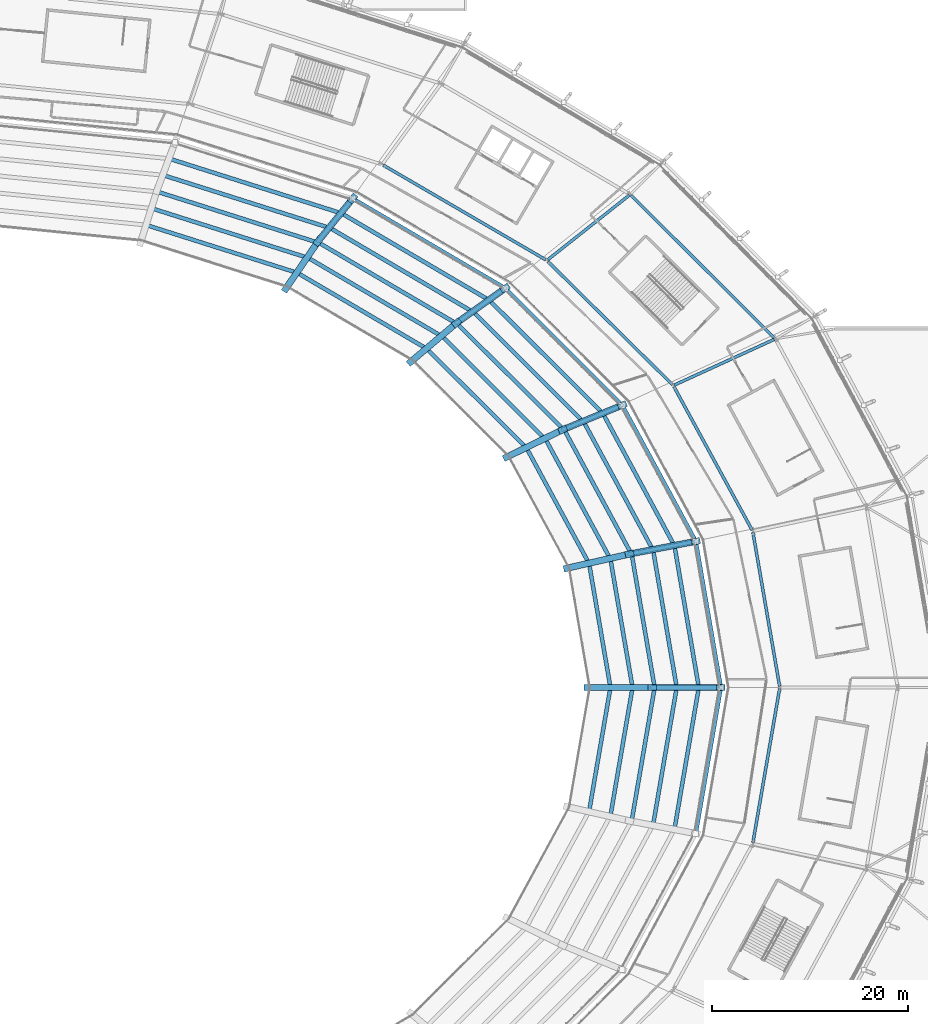
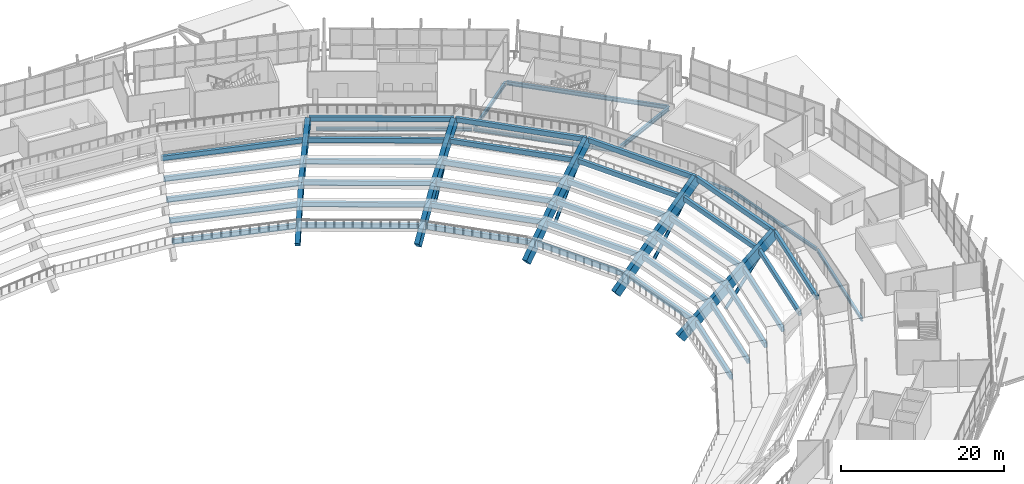
# One storey, part 44 of 126: 53 beams, 5 members.
"""IFC4 building model written with IfcOpenShell, lengths in metres."""

from ifc_helpers import new_model, si_unit, direction, frame, origin, origin_2d, place, context, subcontext, project, spatial, rectangle, hollow_circle, i_section, extrude, material, material_profile, profile_set, type_object, element, save


model = new_model("IFC4")

# Units and contexts
model_context = context("Model", 3, precision=1e-05, world=origin(), true_north=direction((0.0, 1.0)))
body_context = subcontext(model_context, "Body", "Model", "MODEL_VIEW")
ifc_project = project(units=[si_unit("LENGTHUNIT", "METRE"), si_unit("AREAUNIT", "SQUARE_METRE"), si_unit("VOLUMEUNIT", "CUBIC_METRE"), si_unit("PLANEANGLEUNIT", "RADIAN"), si_unit("MASSUNIT", "GRAM", prefix="KILO")], contexts=[model_context])

# Site, building, storey
site_placement = place(None, origin())
site = spatial("IfcSite", under=ifc_project, at=site_placement, CompositionType="ELEMENT")
building_placement = place(site_placement, origin())
building = spatial("IfcBuilding", under=site, at=building_placement, Name="Zlatoyarsky Gate Stadium", CompositionType="ELEMENT")
storey_placement = place(building_placement, frame((0.0, 0.0, 20.800048828125)))
storey = spatial("IfcBuildingStorey", under=building, at=storey_placement, Name="L04", CompositionType="ELEMENT", Elevation=20.800048828125)

# Beams
ifc_material_1 = material(Name="Concrete C40/50", Category="concrete")
ifc_material_profile_1 = material_profile(ifc_material_1, rectangle(XDim=0.39990234375, YDim=0.699951171875, at=origin_2d()), Name="RC BEAM 400X700")
ifc_profile_set_1 = profile_set([ifc_material_profile_1], Name="Concrete C40/50")
beam_type_1 = type_object("IfcBeamType", Name="CONCRETE FLOOR BEAM 400X700", PredefinedType="BEAM", material=ifc_profile_set_1)
beam_1_placement = place(storey_placement, frame((174.73291015625, 80.0986328125, -5.31005859375), z_axis=(-0.169658455132, 0.985502921661, 0.0), x_axis=(-0.985502921661, -0.169658455132, 0.0)))
element("IfcBeam", 1, at=beam_1_placement, inside=storey, type_object=beam_type_1, Name="Upper bowl step tie beam 00.1", PredefinedType="BEAM", context=body_context, shape_type="SweptSolid", body=[
    extrude(rectangle(XDim=0.39990234375, YDim=0.699951171875, at=origin_2d()), origin(), (0.0, 0.0, 1.0), 12.602783203125),
])
beam_2_placement = place(storey_placement, frame((176.98291015625, 80.0986328125, -3.41015625), z_axis=(-0.169561409956, 0.985519623475, 0.0), x_axis=(-0.985519623475, -0.169561409956, 0.0)))
element("IfcBeam", 2, at=beam_2_placement, inside=storey, type_object=beam_type_1, Name="Upper bowl step tie beam 00.2", PredefinedType="BEAM", context=body_context, shape_type="SweptSolid", body=[
    extrude(rectangle(XDim=0.39990234375, YDim=0.699951171875, at=origin_2d()), origin(), (0.0, 0.0, 1.0), 13.062255859375),
])
beam_3_placement = place(storey_placement, frame((179.233154296875, 80.0986328125, -1.510009765625), z_axis=(-0.169485477658, 0.985532684827, 0.0), x_axis=(-0.985532684827, -0.169485477658, 0.0)))
element("IfcBeam", 3, at=beam_3_placement, inside=storey, type_object=beam_type_1, Name="Upper bowl step tie beam 00.3", PredefinedType="BEAM", context=body_context, shape_type="SweptSolid", body=[
    extrude(rectangle(XDim=0.39990234375, YDim=0.699951171875, at=origin_2d()), origin(), (0.0, 0.0, 1.0), 13.521728515625),
])
beam_4_placement = place(storey_placement, frame((181.483154296875, 80.0986328125, 0.389892578125), z_axis=(-0.169400491204, 0.98554729647, 0.0), x_axis=(-0.98554729647, -0.169400491204, 0.0)))
element("IfcBeam", 4, at=beam_4_placement, inside=storey, type_object=beam_type_1, Name="Upper bowl step tie beam 00.4", PredefinedType="BEAM", context=body_context, shape_type="SweptSolid", body=[
    extrude(rectangle(XDim=0.39990234375, YDim=0.699951171875, at=origin_2d()), origin(), (0.0, 0.0, 1.0), 13.981201171875),
])
beam_5_placement = place(storey_placement, frame((183.733154296875, 80.0986328125, 2.2900390625), z_axis=(-0.169320910109, 0.985560971934, 0.0), x_axis=(-0.985560971934, -0.169320910109, 0.0)))
element("IfcBeam", 5, at=beam_5_placement, inside=storey, type_object=beam_type_1, Name="Upper bowl step tie beam 00.5", PredefinedType="BEAM", context=body_context, shape_type="SweptSolid", body=[
    extrude(rectangle(XDim=0.39990234375, YDim=0.699951171875, at=origin_2d()), origin(), (0.0, 0.0, 1.0), 14.4404296875),
])
beam_6_placement = place(storey_placement, frame((185.983154296875, 80.0986328125, 4.18994140625), z_axis=(-0.169262150699, 0.985571065089, 0.0), x_axis=(-0.985571065089, -0.169262150699, 0.0)))
element("IfcBeam", 6, at=beam_6_placement, inside=storey, type_object=beam_type_1, Name="Upper bowl step tie beam 00.6", PredefinedType="BEAM", context=body_context, shape_type="SweptSolid", body=[
    extrude(rectangle(XDim=0.39990234375, YDim=0.699951171875, at=origin_2d()), origin(), (0.0, 0.0, 1.0), 14.89990234375),
])
beam_7_placement = place(storey_placement, frame((172.5302734375, 92.705322265625, -5.31005859375), z_axis=(-0.476295687654, 0.879285174402, 0.0), x_axis=(-0.879285174402, -0.476295687654, 0.0)))
element("IfcBeam", 7, at=beam_7_placement, inside=storey, type_object=beam_type_1, Name="Upper bowl step tie beam 01.1", PredefinedType="BEAM", context=body_context, shape_type="SweptSolid", body=[
    extrude(rectangle(XDim=0.39990234375, YDim=0.699951171875, at=origin_2d()), origin(), (0.0, 0.0, 1.0), 13.171875),
])
beam_8_placement = place(storey_placement, frame((174.70361328125, 93.158203125, -3.41015625), z_axis=(-0.476066487762, 0.879409289938, 0.0), x_axis=(-0.879409289938, -0.476066487762, 0.0)))
element("IfcBeam", 8, at=beam_8_placement, inside=storey, type_object=beam_type_1, Name="Upper bowl step tie beam 01.2", PredefinedType="BEAM", context=body_context, shape_type="SweptSolid", body=[
    extrude(rectangle(XDim=0.39990234375, YDim=0.699951171875, at=origin_2d()), origin(), (0.0, 0.0, 1.0), 13.64990234375),
])
beam_9_placement = place(storey_placement, frame((176.876708984375, 93.611328125, -1.510009765625), z_axis=(-0.475860004983, 0.879521037644, 0.0), x_axis=(-0.879521037644, -0.475860004983, 0.0)))
element("IfcBeam", 9, at=beam_9_placement, inside=storey, type_object=beam_type_1, Name="Upper bowl step tie beam 01.3", PredefinedType="BEAM", context=body_context, shape_type="SweptSolid", body=[
    extrude(rectangle(XDim=0.39990234375, YDim=0.699951171875, at=origin_2d()), origin(), (0.0, 0.0, 1.0), 14.1279296875),
])
beam_10_placement = place(storey_placement, frame((179.05029296875, 94.064208984375, 0.389892578125), z_axis=(-0.475685883609, 0.879615222774, 0.0), x_axis=(-0.879615222774, -0.475685883609, 0.0)))
element("IfcBeam", 10, at=beam_10_placement, inside=storey, type_object=beam_type_1, Name="Upper bowl step tie beam 01.4", PredefinedType="BEAM", context=body_context, shape_type="SweptSolid", body=[
    extrude(rectangle(XDim=0.39990234375, YDim=0.699951171875, at=origin_2d()), origin(), (0.0, 0.0, 1.0), 14.606201171875),
])
beam_11_placement = place(storey_placement, frame((181.223388671875, 94.51708984375, 2.2900390625), z_axis=(-0.475497738566, 0.879716943464, 0.0), x_axis=(-0.879716943464, -0.475497738566, 0.0)))
element("IfcBeam", 11, at=beam_11_placement, inside=storey, type_object=beam_type_1, Name="Upper bowl step tie beam 01.5", PredefinedType="BEAM", context=body_context, shape_type="SweptSolid", body=[
    extrude(rectangle(XDim=0.39990234375, YDim=0.699951171875, at=origin_2d()), origin(), (0.0, 0.0, 1.0), 15.08447265625),
])
beam_12_placement = place(storey_placement, frame((183.39697265625, 94.97021484375, 4.18994140625), z_axis=(-0.475339838788, 0.879802271912, 0.0), x_axis=(-0.879802271912, -0.475339838788, 0.0)))
element("IfcBeam", 12, at=beam_12_placement, inside=storey, type_object=beam_type_1, Name="Upper bowl step tie beam 01.6", PredefinedType="BEAM", context=body_context, shape_type="SweptSolid", body=[
    extrude(rectangle(XDim=0.39990234375, YDim=0.699951171875, at=origin_2d()), origin(), (0.0, 0.0, 1.0), 15.5625),
])
beam_13_placement = place(storey_placement, frame((166.13818359375, 104.445556640625, -5.31005859375), z_axis=(-0.708308892536, 0.705902622714, 0.0), x_axis=(-0.705902622714, -0.708308892536, 0.0)))
element("IfcBeam", 13, at=beam_13_placement, inside=storey, type_object=beam_type_1, Name="Upper bowl step tie beam 02.1", PredefinedType="BEAM", context=body_context, shape_type="SweptSolid", body=[
    extrude(rectangle(XDim=0.39990234375, YDim=0.699951171875, at=origin_2d()), origin(), (0.0, 0.0, 1.0), 14.10302734375),
])
beam_14_placement = place(storey_placement, frame((168.0869140625, 105.320556640625, -3.41015625), z_axis=(-0.708116890443, 0.706095226913, 0.0), x_axis=(-0.706095226913, -0.708116890443, 0.0)))
element("IfcBeam", 14, at=beam_14_placement, inside=storey, type_object=beam_type_1, Name="Upper bowl step tie beam 02.2", PredefinedType="BEAM", context=body_context, shape_type="SweptSolid", body=[
    extrude(rectangle(XDim=0.39990234375, YDim=0.699951171875, at=origin_2d()), origin(), (0.0, 0.0, 1.0), 14.6123046875),
])
beam_15_placement = place(storey_placement, frame((170.035400390625, 106.195556640625, -1.510009765625), z_axis=(-0.707913593092, 0.706299047653, 0.0), x_axis=(-0.706299047653, -0.707913593092, 0.0)))
element("IfcBeam", 15, at=beam_15_placement, inside=storey, type_object=beam_type_1, Name="Upper bowl step tie beam 02.3", PredefinedType="BEAM", context=body_context, shape_type="SweptSolid", body=[
    extrude(rectangle(XDim=0.39990234375, YDim=0.699951171875, at=origin_2d()), origin(), (0.0, 0.0, 1.0), 15.121337890625),
])
beam_16_placement = place(storey_placement, frame((171.98388671875, 107.070556640625, 0.389892578125), z_axis=(-0.707723485707, 0.706489538336, 0.0), x_axis=(-0.706489538336, -0.707723485707, 0.0)))
element("IfcBeam", 16, at=beam_16_placement, inside=storey, type_object=beam_type_1, Name="Upper bowl step tie beam 02.4", PredefinedType="BEAM", context=body_context, shape_type="SweptSolid", body=[
    extrude(rectangle(XDim=0.39990234375, YDim=0.699951171875, at=origin_2d()), origin(), (0.0, 0.0, 1.0), 15.63037109375),
])
beam_17_placement = place(storey_placement, frame((173.9326171875, 107.94580078125, 2.2900390625), z_axis=(-0.707575559386, 0.706637692003, 0.0), x_axis=(-0.706637692003, -0.707575559386, 0.0)))
element("IfcBeam", 17, at=beam_17_placement, inside=storey, type_object=beam_type_1, Name="Upper bowl step tie beam 02.5", PredefinedType="BEAM", context=body_context, shape_type="SweptSolid", body=[
    extrude(rectangle(XDim=0.39990234375, YDim=0.699951171875, at=origin_2d()), origin(), (0.0, 0.0, 1.0), 16.139404296875),
])
beam_18_placement = place(storey_placement, frame((175.881103515625, 108.82080078125, 4.18994140625), z_axis=(-0.707414668274, 0.706798759981, 0.0), x_axis=(-0.706798759981, -0.707414668274, 0.0)))
element("IfcBeam", 18, at=beam_18_placement, inside=storey, type_object=beam_type_1, Name="Upper bowl step tie beam 02.6", PredefinedType="BEAM", context=body_context, shape_type="SweptSolid", body=[
    extrude(rectangle(XDim=0.39990234375, YDim=0.699951171875, at=origin_2d()), origin(), (0.0, 0.0, 1.0), 16.6484375),
])
beam_19_placement = place(storey_placement, frame((155.991943359375, 114.522216796875, -5.31005859375), z_axis=(-0.862487853055, 0.506077764117, 0.0), x_axis=(-0.506077764117, -0.862487853055, 0.0)))
element("IfcBeam", 19, at=beam_19_placement, inside=storey, type_object=beam_type_1, Name="Upper bowl step tie beam 03.1", PredefinedType="BEAM", context=body_context, shape_type="SweptSolid", body=[
    extrude(rectangle(XDim=0.39990234375, YDim=0.699951171875, at=origin_2d()), origin(), (0.0, 0.0, 1.0), 15.1083984375),
])
beam_20_placement = place(storey_placement, frame((157.582763671875, 115.759521484375, -3.41015625), z_axis=(-0.862355376673, 0.506303470581, 0.0), x_axis=(-0.506303470581, -0.862355376673, 0.0)))
element("IfcBeam", 20, at=beam_20_placement, inside=storey, type_object=beam_type_1, Name="Upper bowl step tie beam 03.2", PredefinedType="BEAM", context=body_context, shape_type="SweptSolid", body=[
    extrude(rectangle(XDim=0.39990234375, YDim=0.699951171875, at=origin_2d()), origin(), (0.0, 0.0, 1.0), 15.65087890625),
])
beam_21_placement = place(storey_placement, frame((159.173828125, 116.9970703125, -1.510009765625), z_axis=(-0.862235591154, 0.50650743859, 0.0), x_axis=(-0.50650743859, -0.862235591154, 0.0)))
element("IfcBeam", 21, at=beam_21_placement, inside=storey, type_object=beam_type_1, Name="Upper bowl step tie beam 03.3", PredefinedType="BEAM", context=body_context, shape_type="SweptSolid", body=[
    extrude(rectangle(XDim=0.39990234375, YDim=0.699951171875, at=origin_2d()), origin(), (0.0, 0.0, 1.0), 16.193603515625),
])
beam_22_placement = place(storey_placement, frame((160.764892578125, 118.234619140625, 0.389892578125), z_axis=(-0.862129902882, 0.506687310435, 0.0), x_axis=(-0.506687310435, -0.862129902882, 0.0)))
element("IfcBeam", 22, at=beam_22_placement, inside=storey, type_object=beam_type_1, Name="Upper bowl step tie beam 03.4", PredefinedType="BEAM", context=body_context, shape_type="SweptSolid", body=[
    extrude(rectangle(XDim=0.39990234375, YDim=0.699951171875, at=origin_2d()), origin(), (0.0, 0.0, 1.0), 16.736083984375),
])
beam_23_placement = place(storey_placement, frame((162.355712890625, 119.471923828125, 2.2900390625), z_axis=(-0.862014840694, 0.506883038209, 0.0), x_axis=(-0.506883038209, -0.862014840694, 0.0)))
element("IfcBeam", 23, at=beam_23_placement, inside=storey, type_object=beam_type_1, Name="Upper bowl step tie beam 03.5", PredefinedType="BEAM", context=body_context, shape_type="SweptSolid", body=[
    extrude(rectangle(XDim=0.39990234375, YDim=0.699951171875, at=origin_2d()), origin(), (0.0, 0.0, 1.0), 17.27880859375),
])
beam_24_placement = place(storey_placement, frame((163.94677734375, 120.709228515625, 4.18994140625), z_axis=(-0.861910267073, 0.507060836108, 0.0), x_axis=(-0.507060836108, -0.861910267073, 0.0)))
element("IfcBeam", 24, at=beam_24_placement, inside=storey, type_object=beam_type_1, Name="Upper bowl step tie beam 03.6", PredefinedType="BEAM", context=body_context, shape_type="SweptSolid", body=[
    extrude(rectangle(XDim=0.39990234375, YDim=0.699951171875, at=origin_2d()), origin(), (0.0, 0.0, 1.0), 17.821533203125),
])
beam_25_placement = place(storey_placement, frame((142.77978515625, 122.248779296875, -5.31005859375), z_axis=(-0.953318916024, 0.301965303223, 0.0), x_axis=(-0.301965303223, -0.953318916024, 0.0)))
element("IfcBeam", 25, at=beam_25_placement, inside=storey, type_object=beam_type_1, Name="Upper bowl step tie beam 04.1", PredefinedType="BEAM", context=body_context, shape_type="SweptSolid", body=[
    extrude(rectangle(XDim=0.39990234375, YDim=0.699951171875, at=origin_2d()), origin(), (0.0, 0.0, 1.0), 15.928466796875),
])
beam_26_placement = place(storey_placement, frame((143.90478515625, 123.764404296875, -3.41015625), z_axis=(-0.953267025666, 0.302129074699, 0.0), x_axis=(-0.302129074699, -0.953267025666, 0.0)))
element("IfcBeam", 26, at=beam_26_placement, inside=storey, type_object=beam_type_1, Name="Upper bowl step tie beam 04.2", PredefinedType="BEAM", context=body_context, shape_type="SweptSolid", body=[
    extrude(rectangle(XDim=0.39990234375, YDim=0.699951171875, at=origin_2d()), origin(), (0.0, 0.0, 1.0), 16.498291015625),
])
beam_27_placement = place(storey_placement, frame((145.02978515625, 125.280029296875, -1.510009765625), z_axis=(-0.953219882342, 0.302277779381, 0.0), x_axis=(-0.302277779381, -0.953219882342, 0.0)))
element("IfcBeam", 27, at=beam_27_placement, inside=storey, type_object=beam_type_1, Name="Upper bowl step tie beam 04.3", PredefinedType="BEAM", context=body_context, shape_type="SweptSolid", body=[
    extrude(rectangle(XDim=0.39990234375, YDim=0.699951171875, at=origin_2d()), origin(), (0.0, 0.0, 1.0), 17.068603515625),
])
beam_28_placement = place(storey_placement, frame((146.15478515625, 126.795654296875, 0.389892578125), z_axis=(-0.953175765869, 0.302416863551, 0.0), x_axis=(-0.302416863551, -0.953175765869, 0.0)))
element("IfcBeam", 28, at=beam_28_placement, inside=storey, type_object=beam_type_1, Name="Upper bowl step tie beam 04.4", PredefinedType="BEAM", context=body_context, shape_type="SweptSolid", body=[
    extrude(rectangle(XDim=0.39990234375, YDim=0.699951171875, at=origin_2d()), origin(), (0.0, 0.0, 1.0), 17.638671875),
])
beam_29_placement = place(storey_placement, frame((147.27978515625, 128.311279296875, 2.2900390625), z_axis=(-0.953138260142, 0.302535050949, 0.0), x_axis=(-0.302535050949, -0.953138260142, 0.0)))
element("IfcBeam", 29, at=beam_29_placement, inside=storey, type_object=beam_type_1, Name="Upper bowl step tie beam 04.5", PredefinedType="BEAM", context=body_context, shape_type="SweptSolid", body=[
    extrude(rectangle(XDim=0.39990234375, YDim=0.699951171875, at=origin_2d()), origin(), (0.0, 0.0, 1.0), 18.208740234375),
])
beam_30_placement = place(storey_placement, frame((172.5947265625, 67.481201171875, -5.31005859375), z_axis=(0.169658455132, 0.985502921661, 0.0), x_axis=(-0.985502921661, 0.169658455132, 0.0)))
element("IfcBeam", 30, at=beam_30_placement, inside=storey, type_object=beam_type_1, Name="Upper bowl step tie beam 23.1", PredefinedType="BEAM", context=body_context, shape_type="SweptSolid", body=[
    extrude(rectangle(XDim=0.39990234375, YDim=0.699951171875, at=origin_2d()), origin(), (0.0, 0.0, 1.0), 12.602783203125),
])
beam_31_placement = place(storey_placement, frame((174.76806640625, 67.0283203125, -3.41015625), z_axis=(0.169561409956, 0.985519623475, 0.0), x_axis=(-0.985519623475, 0.169561409956, 0.0)))
element("IfcBeam", 31, at=beam_31_placement, inside=storey, type_object=beam_type_1, Name="Upper bowl step tie beam 23.2", PredefinedType="BEAM", context=body_context, shape_type="SweptSolid", body=[
    extrude(rectangle(XDim=0.39990234375, YDim=0.699951171875, at=origin_2d()), origin(), (0.0, 0.0, 1.0), 13.062255859375),
])
beam_32_placement = place(storey_placement, frame((176.94140625, 66.5751953125, -1.510009765625), z_axis=(0.169485477658, 0.985532684827, 0.0), x_axis=(-0.985532684827, 0.169485477658, 0.0)))
element("IfcBeam", 32, at=beam_32_placement, inside=storey, type_object=beam_type_1, Name="Upper bowl step tie beam 23.3", PredefinedType="BEAM", context=body_context, shape_type="SweptSolid", body=[
    extrude(rectangle(XDim=0.39990234375, YDim=0.699951171875, at=origin_2d()), origin(), (0.0, 0.0, 1.0), 13.521728515625),
])
beam_33_placement = place(storey_placement, frame((179.11474609375, 66.122314453125, 0.389892578125), z_axis=(0.169400491204, 0.98554729647, 0.0), x_axis=(-0.98554729647, 0.169400491204, 0.0)))
element("IfcBeam", 33, at=beam_33_placement, inside=storey, type_object=beam_type_1, Name="Upper bowl step tie beam 23.4", PredefinedType="BEAM", context=body_context, shape_type="SweptSolid", body=[
    extrude(rectangle(XDim=0.39990234375, YDim=0.699951171875, at=origin_2d()), origin(), (0.0, 0.0, 1.0), 13.981201171875),
])
beam_34_placement = place(storey_placement, frame((181.2880859375, 65.66943359375, 2.2900390625), z_axis=(0.169320910109, 0.985560971934, 0.0), x_axis=(-0.985560971934, 0.169320910109, 0.0)))
element("IfcBeam", 34, at=beam_34_placement, inside=storey, type_object=beam_type_1, Name="Upper bowl step tie beam 23.5", PredefinedType="BEAM", context=body_context, shape_type="SweptSolid", body=[
    extrude(rectangle(XDim=0.39990234375, YDim=0.699951171875, at=origin_2d()), origin(), (0.0, 0.0, 1.0), 14.4404296875),
])
beam_35_placement = place(storey_placement, frame((183.461181640625, 65.216552734375, 4.18994140625), z_axis=(0.169262150699, 0.985571065089, 0.0), x_axis=(-0.985571065089, 0.169262150699, 0.0)))
element("IfcBeam", 35, at=beam_35_placement, inside=storey, type_object=beam_type_1, Name="Upper bowl step tie beam 23.6", PredefinedType="BEAM", context=body_context, shape_type="SweptSolid", body=[
    extrude(rectangle(XDim=0.39990234375, YDim=0.699951171875, at=origin_2d()), origin(), (0.0, 0.0, 1.0), 14.89990234375),
])
ifc_material_2 = material(Name="Precast concrete C40/50", Category="concrete")
ifc_material_profile_2 = material_profile(ifc_material_2, rectangle(XDim=0.64990234375, YDim=1.35009765625, at=origin_2d()), Name="PC RAKER 650X1350")
ifc_profile_set_2 = profile_set([ifc_material_profile_2], Name="Precast concrete C40/50")
beam_type_2 = type_object("IfcBeamType", Name="PRECAST UPPER BOWL RAKER 650X1350", PredefinedType="USERDEFINED", material=ifc_profile_set_2)
beam_36_placement = place(storey_placement, frame((172.5, 80.0, -6.949951171875), z_axis=(0.779112777006, 0.0, 0.626883785646), x_axis=(0.0, 1.0, 0.0)))
element("IfcBeam", 36, at=beam_36_placement, inside=storey, type_object=beam_type_2, Name="Upper bowl radial raker 00 inner", ObjectType="RAKER", PredefinedType="USERDEFINED", context=body_context, shape_type="SweptSolid", body=[
    extrude(rectangle(XDim=0.64990234375, YDim=1.35009765625, at=origin_2d()), origin(), (0.0, 0.0, 1.0), 8.3427734375),
])
beam_37_placement = place(storey_placement, frame((179.0, 80.0, -1.719970703125), z_axis=(0.764094427014, 0.0, 0.645104415274), x_axis=(0.0, 1.0, 0.0)))
element("IfcBeam", 37, at=beam_37_placement, inside=storey, type_object=beam_type_2, Name="Upper bowl radial raker 00 outer", ObjectType="RAKER", PredefinedType="USERDEFINED", context=body_context, shape_type="SweptSolid", body=[
    extrude(rectangle(XDim=0.64990234375, YDim=1.35009765625, at=origin_2d()), origin(), (0.0, 0.0, 1.0), 9.1611328125),
])
beam_38_placement = place(storey_placement, frame((170.404296875, 92.16455078125, -6.949951171875), z_axis=(0.756966430115, 0.171596325048, 0.630520836221), x_axis=(-0.221080190505, 0.97525563283, 0.0)))
element("IfcBeam", 38, at=beam_38_placement, inside=storey, type_object=beam_type_2, Name="Upper bowl radial raker 01 inner", ObjectType="RAKER", PredefinedType="USERDEFINED", context=body_context, shape_type="SweptSolid", body=[
    extrude(rectangle(XDim=0.64990234375, YDim=1.35009765625, at=origin_2d()), origin(), (0.0, 0.0, 1.0), 8.294677734375),
])
beam_39_placement = place(storey_placement, frame((176.68310546875, 93.587890625, -1.719970703125), z_axis=(0.745217452592, 0.142644533696, 0.651385819127), x_axis=(-0.188000209644, 0.982168988094, 0.0)))
element("IfcBeam", 39, at=beam_39_placement, inside=storey, type_object=beam_type_2, Name="Upper bowl radial raker 01 outer", ObjectType="RAKER", PredefinedType="USERDEFINED", context=body_context, shape_type="SweptSolid", body=[
    extrude(rectangle(XDim=0.64990234375, YDim=1.35009765625, at=origin_2d()), origin(), (0.0, 0.0, 1.0), 9.07275390625),
])
beam_40_placement = place(storey_placement, frame((164.260498046875, 103.5, -6.949951171875), z_axis=(0.689759179281, 0.336966968618, 0.640847514358), x_axis=(-0.438948714008, 0.898512118154, 0.0)))
element("IfcBeam", 40, at=beam_40_placement, inside=storey, type_object=beam_type_2, Name="Upper bowl radial raker 02 inner", ObjectType="RAKER", PredefinedType="USERDEFINED", context=body_context, shape_type="SweptSolid", body=[
    extrude(rectangle(XDim=0.64990234375, YDim=1.35009765625, at=origin_2d()), origin(), (0.0, 0.0, 1.0), 8.1611328125),
])
beam_41_placement = place(storey_placement, frame((169.8896484375, 106.25, -1.719970703125), z_axis=(0.686732303107, 0.283199983239, 0.669474804128), x_axis=(-0.381242231727, 0.92447518125, 0.0)))
element("IfcBeam", 41, at=beam_41_placement, inside=storey, type_object=beam_type_2, Name="Upper bowl radial raker 02 outer", ObjectType="RAKER", PredefinedType="USERDEFINED", context=body_context, shape_type="SweptSolid", body=[
    extrude(rectangle(XDim=0.64990234375, YDim=1.35009765625, at=origin_2d()), origin(), (0.0, 0.0, 1.0), 8.82763671875),
])
beam_42_placement = place(storey_placement, frame((154.487060546875, 113.23388671875, -6.949951171875), z_axis=(0.576313103177, 0.487658968108, 0.655783453535), x_axis=(-0.645949512336, 0.763380133035, 0.0)))
element("IfcBeam", 42, at=beam_42_placement, inside=storey, type_object=beam_type_2, Name="Upper bowl radial raker 03 inner", ObjectType="RAKER", PredefinedType="USERDEFINED", context=body_context, shape_type="SweptSolid", body=[
    extrude(rectangle(XDim=0.64990234375, YDim=1.35009765625, at=origin_2d()), origin(), (0.0, 0.0, 1.0), 7.97509765625),
])
beam_43_placement = place(storey_placement, frame((159.083251953125, 117.123046875, -1.719970703125), z_axis=(0.583622710391, 0.41688981414, 0.696841025473), x_axis=(-0.581253380312, 0.813722623426, 0.0)))
element("IfcBeam", 43, at=beam_43_placement, inside=storey, type_object=beam_type_2, Name="Upper bowl radial raker 03 outer", ObjectType="RAKER", PredefinedType="USERDEFINED", context=body_context, shape_type="SweptSolid", body=[
    extrude(rectangle(XDim=0.64990234375, YDim=1.35009765625, at=origin_2d()), origin(), (0.0, 0.0, 1.0), 8.48095703125),
])
beam_44_placement = place(storey_placement, frame((141.75, 120.703125, -6.949951171875), z_axis=(0.417480208866, 0.611856886642, 0.671819488757), x_axis=(-0.826035604604, 0.563617937903, 0.0)))
element("IfcBeam", 44, at=beam_44_placement, inside=storey, type_object=beam_type_2, Name="Upper bowl radial raker 04 inner", ObjectType="RAKER", PredefinedType="USERDEFINED", context=body_context, shape_type="SweptSolid", body=[
    extrude(rectangle(XDim=0.64990234375, YDim=1.35009765625, at=origin_2d()), origin(), (0.0, 0.0, 1.0), 7.784912109375),
])
beam_45_placement = place(storey_placement, frame((145.0, 125.46630859375, -1.719970703125), z_axis=(0.431059857301, 0.533292245333, 0.727864534437), x_axis=(-0.777710300861, 0.628622850312, 0.0)))
element("IfcBeam", 45, at=beam_45_placement, inside=storey, type_object=beam_type_2, Name="Upper bowl radial raker 04 outer", ObjectType="RAKER", PredefinedType="USERDEFINED", context=body_context, shape_type="SweptSolid", body=[
    extrude(rectangle(XDim=0.64990234375, YDim=1.35009765625, at=origin_2d()), origin(), (0.0, 0.0, 1.0), 8.11962890625),
])

# Members
ifc_material_3 = material(Name="Steel S355", Category="steel")
ifc_material_profile_3 = material_profile(ifc_material_3, hollow_circle(Radius=0.228515625, WallThickness=0.02490234375, at=origin_2d()), Name="CHS 457X25")
ifc_profile_set_3 = profile_set([ifc_material_profile_3], Name="Steel S355")
member_type = type_object("IfcMemberType", Name="STEEL BACKSPAN TIE STRUT CHS 457X25", PredefinedType="STRUT", material=ifc_profile_set_3)
member_1_placement = place(storey_placement, frame((179.0, 80.0, -4.85009765625), z_axis=(0.612242099201, 0.0, 0.790670356069), x_axis=(0.0, 1.0, 0.0)))
element("IfcMember", 46, at=member_1_placement, inside=storey, type_object=member_type, Name="Upper tier outer raker prop strut 00", PredefinedType="STRUT", context=body_context, shape_type="SweptSolid", body=[
    extrude(hollow_circle(Radius=0.228515625, WallThickness=0.02490234375, at=origin_2d()), origin(), (0.0, 0.0, 1.0), 11.433349609375),
])
member_2_placement = place(storey_placement, frame((176.68310546875, 93.587890625, -4.85009765625), z_axis=(0.595036116931, 0.113897828261, 0.795587395743), x_axis=(-0.188000209644, 0.982168988094, 0.0)))
element("IfcMember", 47, at=member_2_placement, inside=storey, type_object=member_type, Name="Upper tier outer raker prop strut 01", PredefinedType="STRUT", context=body_context, shape_type="SweptSolid", body=[
    extrude(hollow_circle(Radius=0.228515625, WallThickness=0.02490234375, at=origin_2d()), origin(), (0.0, 0.0, 1.0), 11.36279296875),
])
member_3_placement = place(storey_placement, frame((169.8896484375, 106.25, -4.85009765625), z_axis=(0.542825884046, 0.223854740149, 0.809462238108), x_axis=(-0.381242231727, 0.92447518125, 0.0)))
element("IfcMember", 48, at=member_3_placement, inside=storey, type_object=member_type, Name="Upper tier outer raker prop strut 02", PredefinedType="STRUT", context=body_context, shape_type="SweptSolid", body=[
    extrude(hollow_circle(Radius=0.228515625, WallThickness=0.02490234375, at=origin_2d()), origin(), (0.0, 0.0, 1.0), 11.16796875),
])
member_4_placement = place(storey_placement, frame((159.083251953125, 117.123046875, -4.85009765625), z_axis=(0.454268510955, 0.324490311515, 0.829666292968), x_axis=(-0.581253380312, 0.813722623426, 0.0)))
element("IfcMember", 49, at=member_4_placement, inside=storey, type_object=member_type, Name="Upper tier outer raker prop strut 03", PredefinedType="STRUT", context=body_context, shape_type="SweptSolid", body=[
    extrude(hollow_circle(Radius=0.228515625, WallThickness=0.02490234375, at=origin_2d()), origin(), (0.0, 0.0, 1.0), 10.89599609375),
])
member_5_placement = place(storey_placement, frame((145.0, 125.46630859375, -4.85009765625), z_axis=(0.329658233585, 0.407841687421, 0.851463802538), x_axis=(-0.777710300861, 0.628622850312, 0.0)))
element("IfcMember", 50, at=member_5_placement, inside=storey, type_object=member_type, Name="Upper tier outer raker prop strut 04", PredefinedType="STRUT", context=body_context, shape_type="SweptSolid", body=[
    extrude(hollow_circle(Radius=0.228515625, WallThickness=0.02490234375, at=origin_2d()), origin(), (0.0, 0.0, 1.0), 10.616943359375),
])

# Beams
ifc_material_profile_4 = material_profile(ifc_material_3, i_section(OverallWidth=0.300048828125, OverallDepth=0.5, WebThickness=0.014404296875, FlangeThickness=0.028076171875, FilletRadius=0.027099609375, at=origin_2d()), Name="HEB 500")
ifc_profile_set_4 = profile_set([ifc_material_profile_4], Name="Steel S355")
beam_type_3 = type_object("IfcBeamType", Name="STEEL PRIMARY GIRDER HEB 500", PredefinedType="BEAM", material=ifc_profile_set_4)
beam_46_placement = place(storey_placement, frame((191.9794921875, 80.1181640625, -0.550048828125), z_axis=(-0.170843315562, 0.985298209441, 0.0), x_axis=(-0.985298209441, -0.170843315562, 0.0)))
element("IfcBeam", 51, at=beam_46_placement, inside=storey, type_object=beam_type_3, Name="Beam G-HEB500 BM-L04-CRB-00", PredefinedType="BEAM", context=body_context, shape_type="SweptSolid", body=[
    extrude(i_section(OverallWidth=0.300048828125, OverallDepth=0.5, WebThickness=0.014404296875, FlangeThickness=0.028076171875, FilletRadius=0.027099609375, at=origin_2d()), origin(), (0.0, 0.0, 1.0), 15.9150390625),
])
beam_47_placement = place(storey_placement, frame((189.1826171875, 96.022705078125, -0.550048828125), z_axis=(-0.478915800408, 0.877860840976, 0.0), x_axis=(-0.877860840976, -0.478915800408, 0.0)))
element("IfcBeam", 52, at=beam_47_placement, inside=storey, type_object=beam_type_3, Name="Beam G-HEB500 BM-L04-CRB-01", PredefinedType="BEAM", context=body_context, shape_type="SweptSolid", body=[
    extrude(i_section(OverallWidth=0.300048828125, OverallDepth=0.5, WebThickness=0.014404296875, FlangeThickness=0.028076171875, FilletRadius=0.027099609375, at=origin_2d()), origin(), (0.0, 0.0, 1.0), 16.656494140625),
])
beam_48_placement = place(storey_placement, frame((181.062744140625, 110.83447265625, -0.550048828125), z_axis=(-0.710840510009, 0.703353232259, 0.0), x_axis=(-0.703353232259, -0.710840510009, 0.0)))
element("IfcBeam", 53, at=beam_48_placement, inside=storey, type_object=beam_type_3, Name="Beam G-HEB500 BM-L04-CRB-02", PredefinedType="BEAM", context=body_context, shape_type="SweptSolid", body=[
    extrude(i_section(OverallWidth=0.300048828125, OverallDepth=0.5, WebThickness=0.014404296875, FlangeThickness=0.028076171875, FilletRadius=0.027099609375, at=origin_2d()), origin(), (0.0, 0.0, 1.0), 17.868896484375),
])
beam_49_placement = place(storey_placement, frame((168.171875, 123.547607421875, -0.550048828125), z_axis=(-0.864054462945, 0.503398336375, 0.0), x_axis=(-0.503398336375, -0.864054462945, 0.0)))
element("IfcBeam", 54, at=beam_49_placement, inside=storey, type_object=beam_type_3, Name="Beam G-HEB500 BM-L04-CRB-03", PredefinedType="BEAM", context=body_context, shape_type="SweptSolid", body=[
    extrude(i_section(OverallWidth=0.300048828125, OverallDepth=0.5, WebThickness=0.014404296875, FlangeThickness=0.028076171875, FilletRadius=0.027099609375, at=origin_2d()), origin(), (0.0, 0.0, 1.0), 19.1748046875),
])
beam_50_placement = place(storey_placement, frame((189.260498046875, 64.20068359375, -0.550048828125), z_axis=(0.170843315562, 0.985298209441, 0.0), x_axis=(-0.985298209441, 0.170843315562, 0.0)))
element("IfcBeam", 55, at=beam_50_placement, inside=storey, type_object=beam_type_3, Name="Beam G-HEB500 BM-L04-CRB-23", PredefinedType="BEAM", context=body_context, shape_type="SweptSolid", body=[
    extrude(i_section(OverallWidth=0.300048828125, OverallDepth=0.5, WebThickness=0.014404296875, FlangeThickness=0.028076171875, FilletRadius=0.027099609375, at=origin_2d()), origin(), (0.0, 0.0, 1.0), 15.9150390625),
])
ifc_material_profile_5 = material_profile(ifc_material_3, i_section(OverallWidth=0.300048828125, OverallDepth=0.60009765625, WebThickness=0.015380859375, FlangeThickness=0.030029296875, FilletRadius=0.027099609375, at=origin_2d()), Name="HEB 600")
ifc_profile_set_5 = profile_set([ifc_material_profile_5], Name="Steel S355")
beam_type_4 = type_object("IfcBeamType", Name="STEEL PRIMARY GIRDER HEB 600", PredefinedType="BEAM", material=ifc_profile_set_5)
beam_51_placement = place(storey_placement, frame((181.257080078125, 110.7998046875, -0.60009765625), z_axis=(0.909498994842, 0.415706120213, 0.0), x_axis=(-0.415706120213, 0.909498994842, 0.0)))
element("IfcBeam", 56, at=beam_51_placement, inside=storey, type_object=beam_type_4, Name="Beam G-HEB600 BM-L04-RBC-02", PredefinedType="BEAM", context=body_context, shape_type="SweptSolid", body=[
    extrude(i_section(OverallWidth=0.300048828125, OverallDepth=0.60009765625, WebThickness=0.015380859375, FlangeThickness=0.030029296875, FilletRadius=0.027099609375, at=origin_2d()), origin(), (0.0, 0.0, 1.0), 11.186767578125),
])
beam_52_placement = place(storey_placement, frame((191.455322265625, 115.584716796875, -0.60009765625), z_axis=(-0.708899260134, 0.705309746835, 0.0), x_axis=(-0.705309746835, -0.708899260134, 0.0)))
element("IfcBeam", 57, at=beam_52_placement, inside=storey, type_object=beam_type_4, Name="Beam G-HEB600 BM-L04-CRC-02", PredefinedType="BEAM", context=body_context, shape_type="SweptSolid", body=[
    extrude(i_section(OverallWidth=0.300048828125, OverallDepth=0.60009765625, WebThickness=0.015380859375, FlangeThickness=0.030029296875, FilletRadius=0.027099609375, at=origin_2d()), origin(), (0.0, 0.0, 1.0), 20.608642578125),
])
beam_53_placement = place(storey_placement, frame((168.36962890625, 123.5615234375, -0.60009765625), z_axis=(0.78404348542, 0.620705898933, 0.0), x_axis=(-0.620705898933, 0.78404348542, 0.0)))
element("IfcBeam", 58, at=beam_53_placement, inside=storey, type_object=beam_type_4, Name="Beam G-HEB600 BM-L04-RBC-03", PredefinedType="BEAM", context=body_context, shape_type="SweptSolid", body=[
    extrude(i_section(OverallWidth=0.300048828125, OverallDepth=0.60009765625, WebThickness=0.015380859375, FlangeThickness=0.030029296875, FilletRadius=0.027099609375, at=origin_2d()), origin(), (0.0, 0.0, 1.0), 10.58251953125),
])

save(model, "model.ifc")
